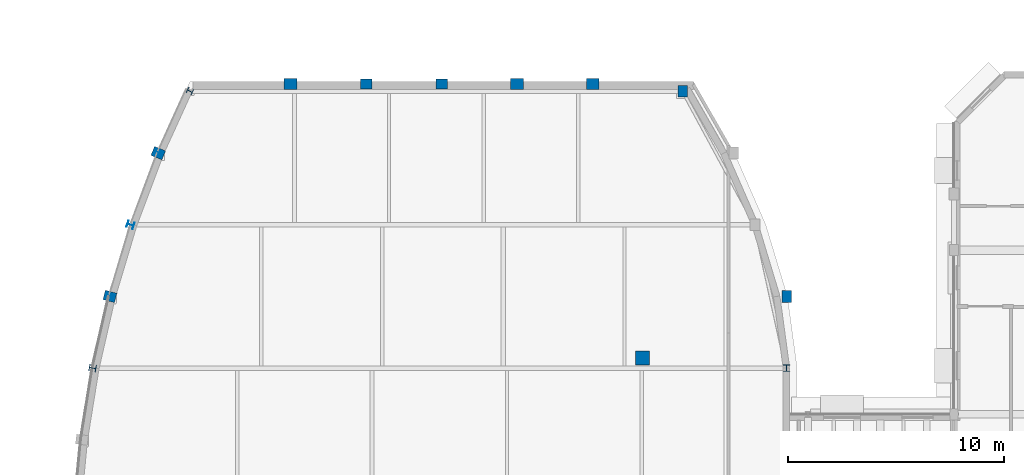
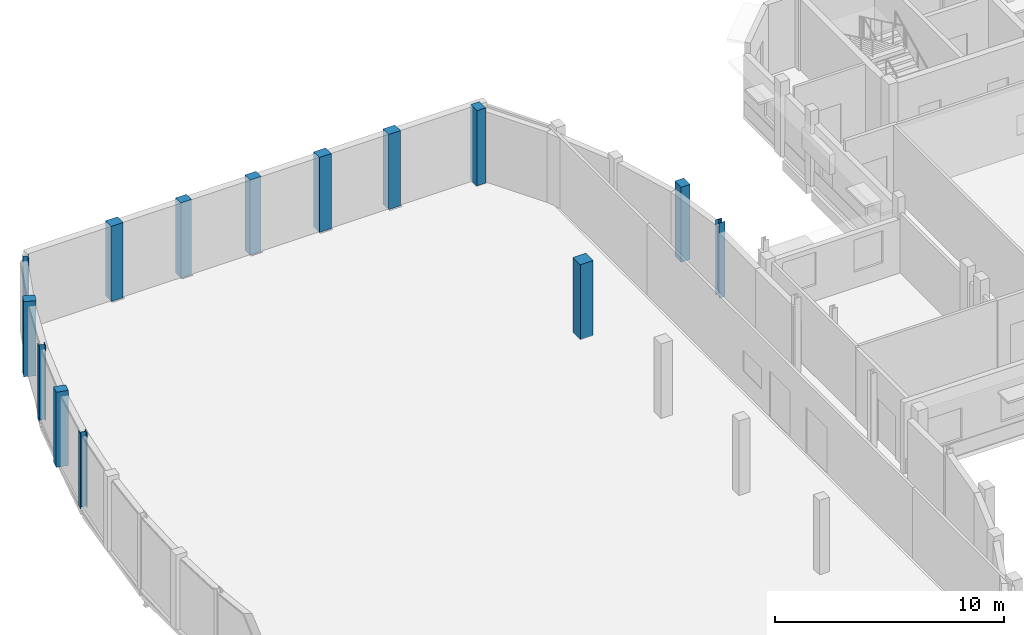
# One storey, part 9 of 105: 14 columns.
"""IFC4 building model written with IfcOpenShell, lengths in metres."""

from ifc_helpers import new_model, si_unit, direction, frame, origin, origin_2d, place, context, subcontext, project, spatial, rectangle, i_section, extrude, material, material_profile, profile_set, type_object, element, save


model = new_model("IFC4")

# Units and contexts
model_context = context("Model", 3, precision=1e-05, world=origin(), true_north=direction((0.0, 1.0)))
body_context = subcontext(model_context, "Body", "Model", "MODEL_VIEW")
ifc_project = project(units=[si_unit("LENGTHUNIT", "METRE"), si_unit("AREAUNIT", "SQUARE_METRE"), si_unit("VOLUMEUNIT", "CUBIC_METRE"), si_unit("PLANEANGLEUNIT", "RADIAN"), si_unit("MASSUNIT", "GRAM", prefix="KILO")], contexts=[model_context])

# Site, building, storey
site_placement = place(None, origin())
site = spatial("IfcSite", under=ifc_project, at=site_placement, CompositionType="ELEMENT")
building_placement = place(site_placement, origin())
building = spatial("IfcBuilding", under=site, at=building_placement, Name="Kelanivale Promenade Academy", CompositionType="ELEMENT")
storey_placement = place(building_placement, frame((0.0, 0.0, 4.199951171875)))
storey = spatial("IfcBuildingStorey", under=building, at=storey_placement, Name="L01", CompositionType="ELEMENT", Elevation=4.199951171875)

# Columns
ifc_material_1 = material(Name="Concrete C40/50", Category="concrete")
ifc_material_profile_1 = material_profile(ifc_material_1, rectangle(XDim=0.64990234375, YDim=0.64990234375, at=origin_2d()), Name="RC-COL 650x650")
ifc_profile_set_1 = profile_set([ifc_material_profile_1], Name="Concrete C40/50")
column_type_1 = type_object("IfcColumnType", Name="C-06 RC-COL 650x650", PredefinedType="COLUMN", material=ifc_profile_set_1)
column_1_placement = place(storey_placement, frame((28.800048828125, 66.60009765625, 0.0), z_axis=(0.0, 0.0, 1.0), x_axis=(1.0, 0.0, 0.0)))
element("IfcColumn", 1, at=column_1_placement, inside=storey, type_object=column_type_1, Name="Column C-06 at (28.8, 66.6) L01", PredefinedType="COLUMN", context=body_context, shape_type="SweptSolid", body=[
    extrude(rectangle(XDim=0.64990234375, YDim=0.64990234375, at=origin_2d()), origin(), (0.0, 0.0, 1.0), 4.0),
])
ifc_material_profile_2 = material_profile(ifc_material_1, rectangle(XDim=0.449951171875, YDim=0.550048828125, at=origin_2d()), Name="RC-PIL 450x550")
ifc_profile_set_2 = profile_set([ifc_material_profile_2], Name="Concrete C40/50")
column_type_2 = type_object("IfcColumnType", Name="PL-17 RC-PIL 450x550", PredefinedType="PILASTER", material=ifc_profile_set_2)
for number, where, z_axis, x_axis, name in (
    (2, (4.157958984375, 69.45703125, 0.0), (0.0, 0.0, 1.0), (0.2549394954, 0.966957007154, 0.0), "Column PL-17 at (4.2, 69.5) L01"),
    (3, (6.39306640625, 76.0859375, 0.0), (0.0, 0.0, 1.0), (0.382360914263, 0.92401305794, 0.0), "Column PL-17 at (6.4, 76.1) L01"),
    (4, (16.012939453125, 79.280029296875, 0.0), (0.0, 0.0, 1.0), (0.0, 1.0, 0.0), "Column PL-17 at (16.0, 79.3) L01"),
    (5, (19.506103515625, 79.280029296875, 0.0), (0.0, 0.0, 1.0), (0.0, 1.0, 0.0), "Column PL-17 at (19.5, 79.3) L01"),
    (6, (30.64990234375, 78.949951171875, 0.0), (0.0, 0.0, 1.0), (1.0, 0.0, 0.0), "Column PL-17 at (30.6, 79.0) L01"),
    (7, (35.4599609375, 69.45703125, 0.0), (0.0, 0.0, 1.0), (1.0, 0.0, 0.0), "Column PL-17 at (35.5, 69.5) L01"),
):
    element("IfcColumn", number, at=place(storey_placement, frame(where, z_axis=z_axis, x_axis=x_axis)), inside=storey, type_object=column_type_2, Name=name, PredefinedType="PILASTER", context=body_context, shape_type="SweptSolid", body=[
        extrude(rectangle(XDim=0.449951171875, YDim=0.550048828125, at=origin_2d()), origin(), (0.0, 0.0, 1.0), 4.0),
    ])
ifc_material_profile_3 = material_profile(ifc_material_1, rectangle(XDim=0.5, YDim=0.60009765625, at=origin_2d()), Name="RC-PIL 500x600")
ifc_profile_set_3 = profile_set([ifc_material_profile_3], Name="Concrete C40/50")
column_type_3 = type_object("IfcColumnType", Name="PL-18 RC-PIL 500x600", PredefinedType="PILASTER", material=ifc_profile_set_3)
for number, where, z_axis, x_axis, name in (
    (8, (12.52001953125, 79.280029296875, 0.0), (0.0, 0.0, 1.0), (0.0, 1.0, 0.0), "Column PL-18 at (12.5, 79.3) L01"),
    (9, (22.9990234375, 79.280029296875, 0.0), (0.0, 0.0, 1.0), (0.0, 1.0, 0.0), "Column PL-18 at (23.0, 79.3) L01"),
    (10, (26.491943359375, 79.280029296875, 0.0), (0.0, 0.0, 1.0), (0.0, 1.0, 0.0), "Column PL-18 at (26.5, 79.3) L01"),
):
    element("IfcColumn", number, at=place(storey_placement, frame(where, z_axis=z_axis, x_axis=x_axis)), inside=storey, type_object=column_type_3, Name=name, PredefinedType="PILASTER", context=body_context, shape_type="SweptSolid", body=[
        extrude(rectangle(XDim=0.5, YDim=0.60009765625, at=origin_2d()), origin(), (0.0, 0.0, 1.0), 4.0),
    ])
ifc_material_2 = material(Name="Steel S355", Category="steel")
ifc_material_profile_4 = material_profile(ifc_material_2, i_section(OverallWidth=0.25634765625, OverallDepth=0.26025390625, WebThickness=0.01025390625, FlangeThickness=0.017333984375, FilletRadius=0.0126953125, at=origin_2d()), Name="UC 254x254x89")
ifc_profile_set_4 = profile_set([ifc_material_profile_4], Name="Steel S355")
column_type_4 = type_object("IfcColumnType", Name="SC-03 UC 254x254x89", PredefinedType="COLUMN", material=ifc_profile_set_4)
column_2_placement = place(storey_placement, frame((7.862060546875, 78.949951171875, 0.0), z_axis=(0.0, 0.0, 1.0), x_axis=(0.44619781311, 0.894934361602, 0.0)))
element("IfcColumn", 11, at=column_2_placement, inside=storey, type_object=column_type_4, Name="Column SC-03 at (7.9, 79.0) L01", PredefinedType="COLUMN", context=body_context, shape_type="SweptSolid", body=[
    extrude(i_section(OverallWidth=0.25634765625, OverallDepth=0.26025390625, WebThickness=0.01025390625, FlangeThickness=0.017333984375, FilletRadius=0.0126953125, at=origin_2d()), origin(), (0.0, 0.0, 1.0), 4.0),
])
ifc_material_profile_5 = material_profile(ifc_material_2, i_section(OverallWidth=0.307373046875, OverallDepth=0.314453125, WebThickness=0.011962890625, FlangeThickness=0.018798828125, FilletRadius=0.01513671875, at=origin_2d()), Name="UC 305x305x118")
ifc_profile_set_5 = profile_set([ifc_material_profile_5], Name="Steel S355")
column_type_5 = type_object("IfcColumnType", Name="SC-04 UC 305x305x118", PredefinedType="COLUMN", material=ifc_profile_set_5)
for number, where, z_axis, x_axis, name in (
    (12, (3.35888671875, 66.14306640625, 0.0), (0.0, 0.0, 1.0), (0.191151636272, 0.981560518741, 0.0), "Column SC-04 at (3.4, 66.1) L01"),
    (13, (5.111083984375, 72.77099609375, 0.0), (0.0, 0.0, 1.0), (0.318628456287, 0.947879690069, 0.0), "Column SC-04 at (5.1, 72.8) L01"),
    (14, (35.449951171875, 66.14306640625, 0.0), (0.0, 0.0, 1.0), (1.0, 0.0, 0.0), "Column SC-04 at (35.5, 66.1) L01"),
):
    element("IfcColumn", number, at=place(storey_placement, frame(where, z_axis=z_axis, x_axis=x_axis)), inside=storey, type_object=column_type_5, Name=name, PredefinedType="COLUMN", context=body_context, shape_type="SweptSolid", body=[
        extrude(i_section(OverallWidth=0.307373046875, OverallDepth=0.314453125, WebThickness=0.011962890625, FlangeThickness=0.018798828125, FilletRadius=0.01513671875, at=origin_2d()), origin(), (0.0, 0.0, 1.0), 4.0),
    ])

save(model, "model.ifc")
